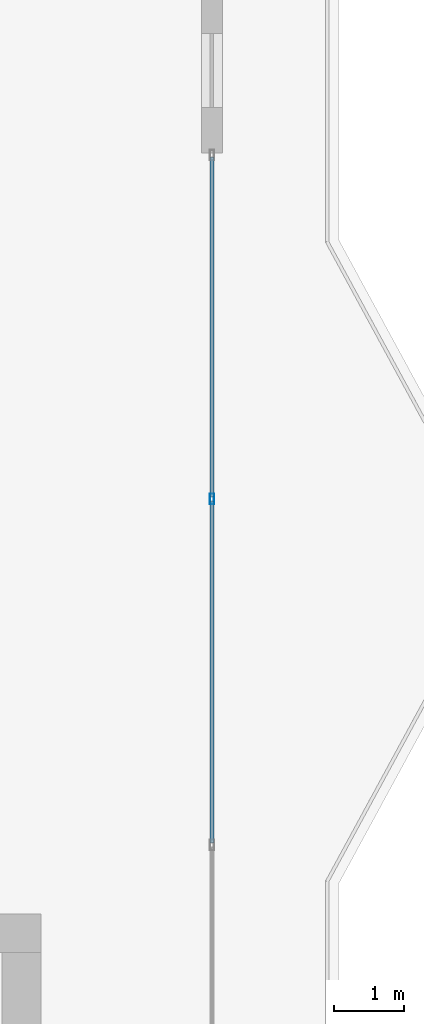
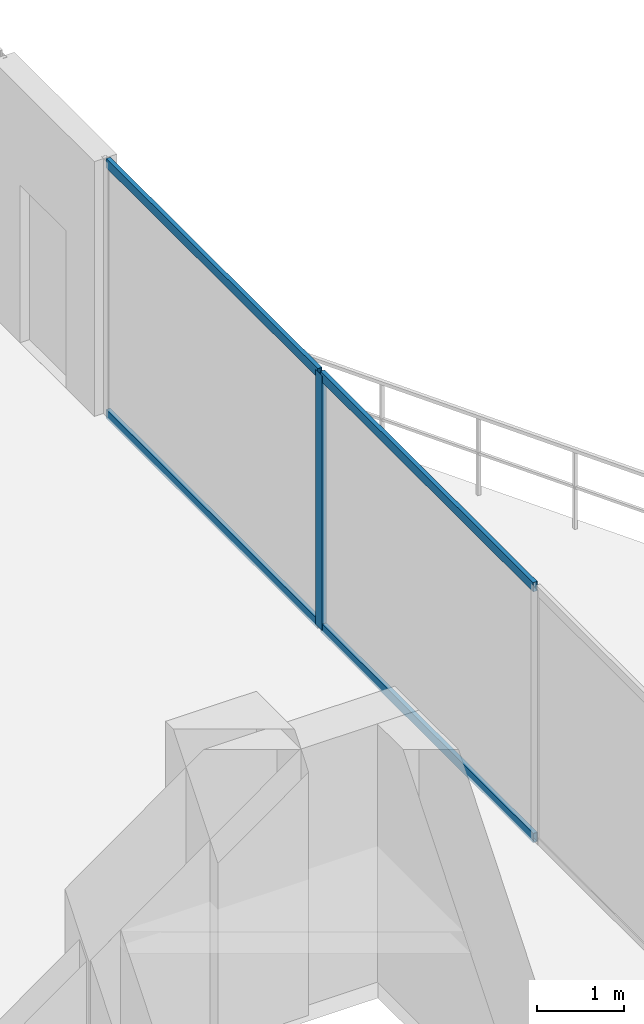
# One storey, part 13 of 27: 5 members, 1 element without a shape of its own.
"""IFC4 building model written with IfcOpenShell, lengths in metres."""

from ifc_helpers import new_model, si_unit, direction, frame, origin, origin_2d, place, context, subcontext, project, spatial, hollow_rectangle, extrude, material, layer, layer_set, material_profile, profile_set, type_object, element, aggregate, save


model = new_model("IFC4")

# Units and contexts
model_context = context("Model", 3, precision=1e-05, world=origin(), true_north=direction((0.0, 1.0)))
body_context = subcontext(model_context, "Body", "Model", "MODEL_VIEW")
ifc_project = project(units=[si_unit("LENGTHUNIT", "METRE"), si_unit("AREAUNIT", "SQUARE_METRE"), si_unit("VOLUMEUNIT", "CUBIC_METRE"), si_unit("PLANEANGLEUNIT", "RADIAN"), si_unit("MASSUNIT", "GRAM", prefix="KILO")], contexts=[model_context])

# Site, building, storey
site_placement = place(None, origin())
site = spatial("IfcSite", under=ifc_project, at=site_placement, CompositionType="ELEMENT")
building_placement = place(site_placement, origin())
building = spatial("IfcBuilding", under=site, at=building_placement, Name="Zuhayl Quay Hotel", CompositionType="ELEMENT")
storey_placement = place(building_placement, frame((0.0, 0.0, 297.25)))
storey = spatial("IfcBuildingStorey", under=building, at=storey_placement, Name="Crown 1", CompositionType="ELEMENT", Elevation=297.25)

# Curtain wall, members
ifc_material_1 = material(Name="Anodised Aluminium 6063-T6", Category="aluminium")
ifc_layer = layer(ifc_material_1, 0.159912109375, Name="Anodised Aluminium 6063-T6", Category="aluminium")
ifc_layer_set = layer_set([ifc_layer], Name="Anodised Aluminium 6063-T6")
curtain_wall_type = type_object("IfcCurtainWallType", Name="CW_SYS_CRN", PredefinedType="USERDEFINED", material=ifc_layer_set)
curtain_wall_placement = place(storey_placement, origin())
curtain_wall = element("IfcCurtainWall", 1, at=curtain_wall_placement, inside=storey, type_object=curtain_wall_type, Name="Crown 1 Curtain Wall ENV_CR1_E5_CW2", ObjectType="UNITISED CURTAIN WALL", PredefinedType="USERDEFINED")
ifc_material_2 = material(Name="Black-anodised aluminium 6063-T6", Category="aluminium")
ifc_material_profile_1 = material_profile(ifc_material_2, hollow_rectangle(XDim=0.06005859375, YDim=0.14990234375, WallThickness=0.00341796875, at=origin_2d()), Name="ALU150X60")
ifc_profile_set_1 = profile_set([ifc_material_profile_1], Name="Black-anodised aluminium 6063-T6")
member_type_1 = type_object("IfcMemberType", Name="MB_CW_MUL_150", PredefinedType="MULLION", material=ifc_profile_set_1)
member_1_placement = place(storey_placement, frame((18.39990234375, 20.393798828125, 0.0), z_axis=(0.0, 0.0, 1.0), x_axis=(1.0, 0.0, 0.0)))
member_1 = element("IfcMember", 2, at=member_1_placement, type_object=member_type_1, Name="CW-CRN mullion 2", PredefinedType="MULLION", context=body_context, shape_type="SweptSolid", body=[
    extrude(hollow_rectangle(XDim=0.06005859375, YDim=0.14990234375, WallThickness=0.00341796875, at=origin_2d()), origin(), (0.0, 0.0, 1.0), 3.56005859375),
])
ifc_material_profile_2 = material_profile(ifc_material_2, hollow_rectangle(XDim=0.054931640625, YDim=0.1298828125, WallThickness=0.0029296875, at=origin_2d()), Name="ALU130X55")
ifc_profile_set_2 = profile_set([ifc_material_profile_2], Name="Black-anodised aluminium 6063-T6")
member_type_2 = type_object("IfcMemberType", Name="MB_CW_TRN_130", PredefinedType="USERDEFINED", material=ifc_profile_set_2)
member_2_placement = place(storey_placement, frame((18.39990234375, 25.264892578125, 0.027587890625), z_axis=(0.0, -1.0, 0.0), x_axis=(1.0, 0.0, 0.0)))
member_2 = element("IfcMember", 3, at=member_2_placement, type_object=member_type_2, Name="CW-CRN transom 1.1", ObjectType="TRANSOM", PredefinedType="USERDEFINED", context=body_context, shape_type="SweptSolid", body=[
    extrude(hollow_rectangle(XDim=0.054931640625, YDim=0.1298828125, WallThickness=0.0029296875, at=origin_2d()), origin(), (0.0, 0.0, 1.0), 4.841064453125),
])
member_3_placement = place(storey_placement, frame((18.39990234375, 25.264892578125, 3.532470703125), z_axis=(0.0, -1.0, 0.0), x_axis=(1.0, 0.0, 0.0)))
member_3 = element("IfcMember", 4, at=member_3_placement, type_object=member_type_2, Name="CW-CRN transom 1.2", ObjectType="TRANSOM", PredefinedType="USERDEFINED", context=body_context, shape_type="SweptSolid", body=[
    extrude(hollow_rectangle(XDim=0.054931640625, YDim=0.1298828125, WallThickness=0.0029296875, at=origin_2d()), origin(), (0.0, 0.0, 1.0), 4.841064453125),
])
member_4_placement = place(storey_placement, frame((18.39990234375, 20.36376953125, 0.027587890625), z_axis=(0.0, -1.0, 0.0), x_axis=(1.0, 0.0, 0.0)))
member_4 = element("IfcMember", 5, at=member_4_placement, type_object=member_type_2, Name="CW-CRN transom 2.1", ObjectType="TRANSOM", PredefinedType="USERDEFINED", context=body_context, shape_type="SweptSolid", body=[
    extrude(hollow_rectangle(XDim=0.054931640625, YDim=0.1298828125, WallThickness=0.0029296875, at=origin_2d()), origin(), (0.0, 0.0, 1.0), 4.871337890625),
])
member_5_placement = place(storey_placement, frame((18.39990234375, 20.36376953125, 3.532470703125), z_axis=(0.0, -1.0, 0.0), x_axis=(1.0, 0.0, 0.0)))
member_5 = element("IfcMember", 6, at=member_5_placement, type_object=member_type_2, Name="CW-CRN transom 2.2", ObjectType="TRANSOM", PredefinedType="USERDEFINED", context=body_context, shape_type="SweptSolid", body=[
    extrude(hollow_rectangle(XDim=0.054931640625, YDim=0.1298828125, WallThickness=0.0029296875, at=origin_2d()), origin(), (0.0, 0.0, 1.0), 4.871337890625),
])
aggregate(curtain_wall, [member_1, member_2, member_3, member_4, member_5])

save(model, "model.ifc")
